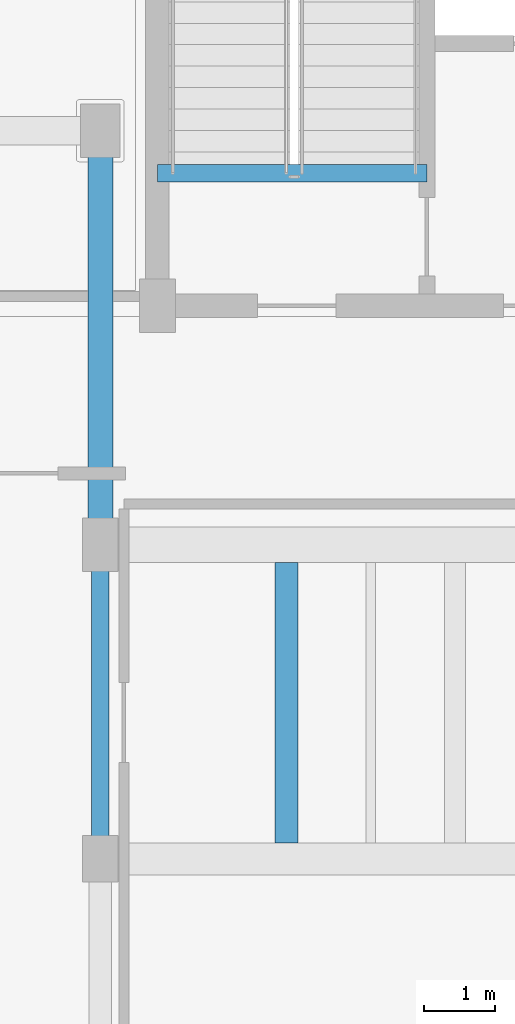
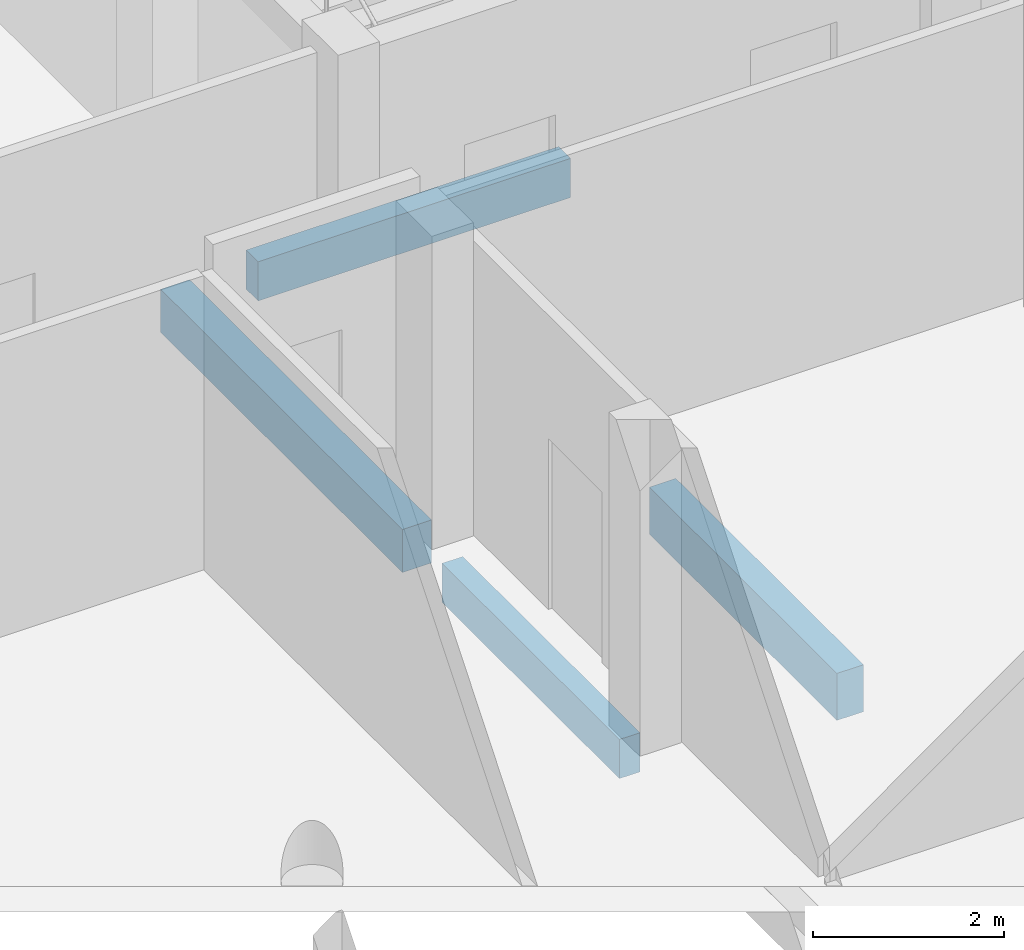
# One storey, part 35 of 89: 4 beams.
"""IFC4 building model written with IfcOpenShell, lengths in metres."""

from ifc_helpers import new_model, si_unit, direction, frame, origin, origin_2d, place, context, subcontext, project, spatial, rectangle, extrude, material, material_profile, profile_set, type_object, element, save


model = new_model("IFC4")

# Units and contexts
model_context = context("Model", 3, precision=1e-05, world=origin(), true_north=direction((0.0, 1.0)))
body_context = subcontext(model_context, "Body", "Model", "MODEL_VIEW")
ifc_project = project(units=[si_unit("LENGTHUNIT", "METRE"), si_unit("AREAUNIT", "SQUARE_METRE"), si_unit("VOLUMEUNIT", "CUBIC_METRE"), si_unit("PLANEANGLEUNIT", "RADIAN"), si_unit("MASSUNIT", "GRAM", prefix="KILO")], contexts=[model_context])

# Site, building, storey
site_placement = place(None, origin())
site = spatial("IfcSite", under=ifc_project, at=site_placement, CompositionType="ELEMENT")
building_placement = place(site_placement, origin())
building = spatial("IfcBuilding", under=site, at=building_placement, Name="Kelanivale Promenade Academy", CompositionType="ELEMENT")
storey_placement = place(building_placement, frame((0.0, 0.0, 12.199951171875)))
storey = spatial("IfcBuildingStorey", under=building, at=storey_placement, Name="L03", CompositionType="ELEMENT", Elevation=12.199951171875)

# Beams
ifc_material = material(Name="Concrete C35/45", Category="concrete")
ifc_material_profile_1 = material_profile(ifc_material, rectangle(XDim=0.320068359375, YDim=0.60009765625, at=origin_2d()), Name="RC-BM 320x600")
ifc_profile_set_1 = profile_set([ifc_material_profile_1], Name="Concrete C35/45")
beam_type_1 = type_object("IfcBeamType", Name="JS-05 RC-BM 320x600", PredefinedType="JOIST", material=ifc_profile_set_1)
beam_1_placement = place(storey_placement, frame((81.806884765625, 64.22509765625, -0.52001953125), z_axis=(0.0, 1.0, 0.0), x_axis=(-1.0, 0.0, 0.0)))
element("IfcBeam", 1, at=beam_1_placement, inside=storey, type_object=beam_type_1, Name="L03 secondary sub-beam JS-05", PredefinedType="JOIST", context=body_context, shape_type="SweptSolid", body=[
    extrude(rectangle(XDim=0.320068359375, YDim=0.60009765625, at=origin_2d()), origin(), (0.0, 0.0, 1.0), 3.9248046875),
])
ifc_material_profile_2 = material_profile(ifc_material, rectangle(XDim=0.35009765625, YDim=0.550048828125, at=origin_2d()), Name="RC-BM 350x550")
ifc_profile_set_2 = profile_set([ifc_material_profile_2], Name="Concrete C35/45")
beam_type_2 = type_object("IfcBeamType", Name="JS-06 RC-BM 350x550", PredefinedType="JOIST", material=ifc_profile_set_2)
beam_2_placement = place(storey_placement, frame((79.199951171875, 68.77001953125, -0.494873046875), z_axis=(0.0, 1.0, 0.0), x_axis=(-1.0, 0.0, 0.0)))
element("IfcBeam", 2, at=beam_2_placement, inside=storey, type_object=beam_type_2, Name="L03 beam JS-06", PredefinedType="JOIST", context=body_context, shape_type="SweptSolid", body=[
    extrude(rectangle(XDim=0.35009765625, YDim=0.550048828125, at=origin_2d()), origin(), (0.0, 0.0, 1.0), 5.06005859375),
])
ifc_material_profile_3 = material_profile(ifc_material, rectangle(XDim=0.25, YDim=0.5, at=origin_2d()), Name="RC-BM 250x500")
ifc_profile_set_3 = profile_set([ifc_material_profile_3], Name="Concrete C35/45")
beam_type_3 = type_object("IfcBeamType", Name="LN-02 RC-BM 250x500", PredefinedType="LINTEL", material=ifc_profile_set_3)
beam_3_placement = place(storey_placement, frame((79.199951171875, 64.320068359375, -0.469970703125), z_axis=(0.0, 1.0, 0.0), x_axis=(-1.0, 0.0, 0.0)))
element("IfcBeam", 3, at=beam_3_placement, inside=storey, type_object=beam_type_3, Name="L03 beam LN-02", PredefinedType="LINTEL", context=body_context, shape_type="SweptSolid", body=[
    extrude(rectangle(XDim=0.25, YDim=0.5, at=origin_2d()), origin(), (0.0, 0.0, 1.0), 3.7099609375),
])
beam_4_placement = place(storey_placement, frame((80.0, 73.60498046875, -0.25), z_axis=(1.0, 0.0, 0.0), x_axis=(0.0, 1.0, 0.0)))
element("IfcBeam", 4, at=beam_4_placement, inside=storey, type_object=beam_type_3, Name="CORE-2 stair arrival trimmer beam L03", PredefinedType="LINTEL", context=body_context, shape_type="SweptSolid", body=[
    extrude(rectangle(XDim=0.25, YDim=0.5, at=origin_2d()), origin(), (0.0, 0.0, 1.0), 3.77490234375),
])

save(model, "model.ifc")
